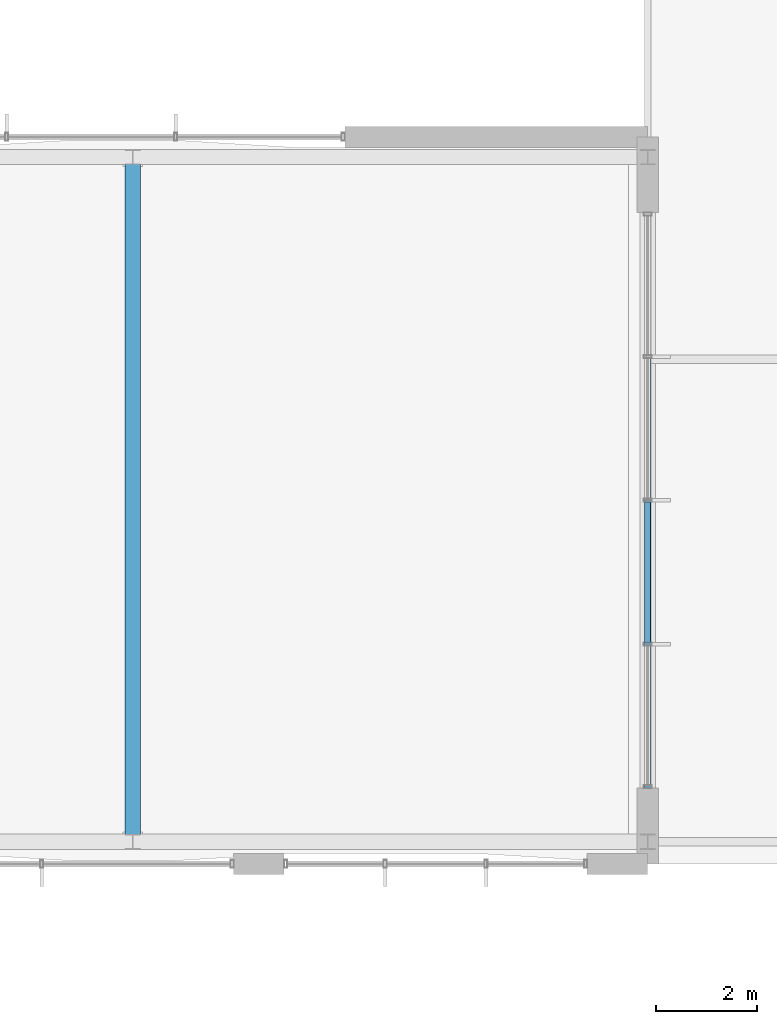
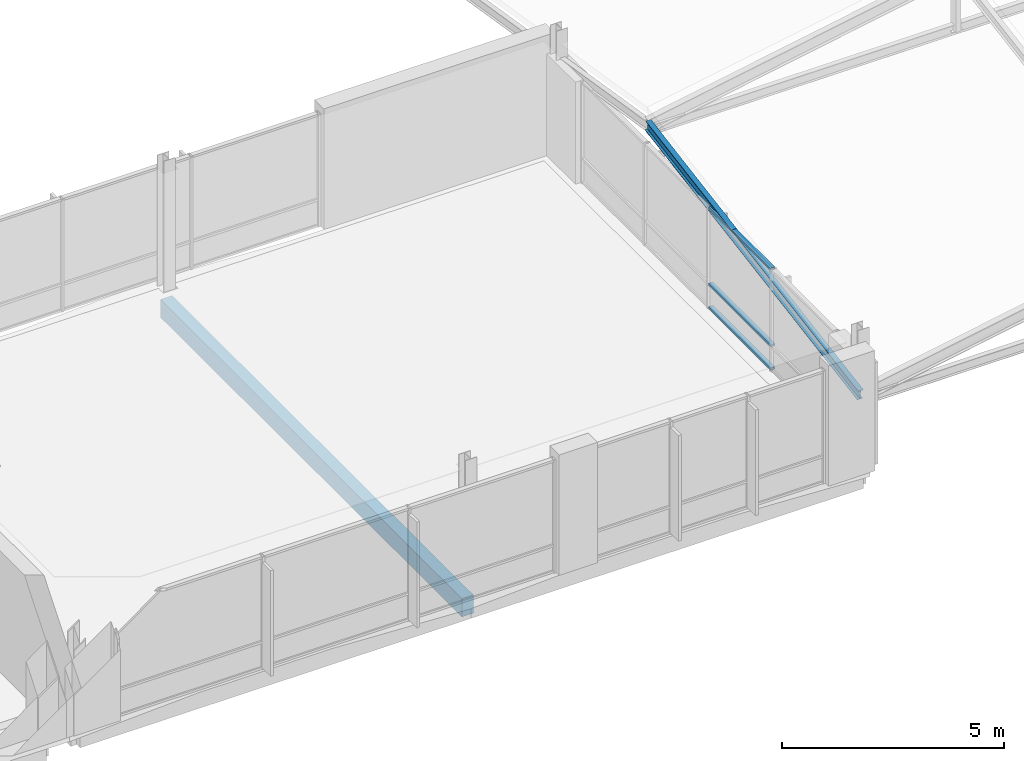
# One storey, part 38 of 189: 4 members, 1 beam, 1 element without a shape of its own.
"""IFC4 building model written with IfcOpenShell, lengths in metres."""

from ifc_helpers import new_model, si_unit, direction, frame, origin, origin_2d, place, context, subcontext, project, spatial, rectangle, hollow_rectangle, i_section, extrude, material, material_profile, profile_set, type_object, element, aggregate, save


model = new_model("IFC4")

# Units and contexts
model_context = context("Model", 3, precision=1e-05, world=origin(), true_north=direction((0.0, 1.0)))
body_context = subcontext(model_context, "Body", "Model", "MODEL_VIEW")
ifc_project = project(units=[si_unit("LENGTHUNIT", "METRE"), si_unit("AREAUNIT", "SQUARE_METRE"), si_unit("VOLUMEUNIT", "CUBIC_METRE"), si_unit("PLANEANGLEUNIT", "RADIAN"), si_unit("MASSUNIT", "GRAM", prefix="KILO")], contexts=[model_context])

# Site, building, storey
site_placement = place(None, origin())
site = spatial("IfcSite", under=ifc_project, at=site_placement, CompositionType="ELEMENT")
building_placement = place(site_placement, origin())
building = spatial("IfcBuilding", under=site, at=building_placement, Name="Zavelmont Quarter", CompositionType="ELEMENT")
storey_placement = place(building_placement, frame((0.0, 0.0, 4.39990234375)))
storey = spatial("IfcBuildingStorey", under=building, at=storey_placement, Name="L01", CompositionType="ELEMENT", Elevation=4.39990234375)

# Beam
ifc_material_1 = material(Name="Concrete C35/45", Category="concrete")
ifc_material_profile_1 = material_profile(ifc_material_1, rectangle(XDim=0.300048828125, YDim=0.5, at=origin_2d()), Name="RC300X500")
ifc_profile_set_1 = profile_set([ifc_material_profile_1], Name="Concrete C35/45")
beam_type = type_object("IfcBeamType", Name="BM03", PredefinedType="BEAM", material=ifc_profile_set_1)
beam_placement = place(storey_placement, frame((65.800048828125, 0.43994140625, -0.52978515625), z_axis=(0.0, 1.0, 0.0), x_axis=(-1.0, 0.0, 0.0)))
element("IfcBeam", 1, at=beam_placement, inside=storey, type_object=beam_type, Name="L01 beam BM03 10/A to 10/C", PredefinedType="BEAM", context=body_context, shape_type="SweptSolid", body=[
    extrude(rectangle(XDim=0.300048828125, YDim=0.5, at=origin_2d()), origin(), (0.0, 0.0, 1.0), 13.56005859375),
])

# Curtain wall, members
ifc_material_2 = material(Name="Thermally broken aluminium and double low-E safety glazing", Category="aluminium")
curtain_wall_type = type_object("IfcCurtainWallType", Name="CW-1140X280", PredefinedType="NOTDEFINED", material=ifc_material_2)
curtain_wall_placement = place(storey_placement, origin())
curtain_wall = element("IfcCurtainWall", 2, at=curtain_wall_placement, inside=storey, type_object=curtain_wall_type, Name="L01 unitised curtain wall CW-1140X280", PredefinedType="NOTDEFINED")
ifc_material_3 = material(Name="Powder-coated aluminium EN AW-6063-T6", Category="aluminium")
ifc_material_profile_2 = material_profile(ifc_material_3, hollow_rectangle(XDim=0.1201171875, YDim=0.06005859375, WallThickness=0.00390625, at=origin_2d()), Name="CWT60X120")
ifc_profile_set_2 = profile_set([ifc_material_profile_2], Name="Powder-coated aluminium EN AW-6063-T6")
member_type_1 = type_object("IfcMemberType", Name="CWT01", PredefinedType="NOTDEFINED", material=ifc_profile_set_2)
member_1_placement = place(storey_placement, frame((76.0, 4.3798828125, 0.030029296875), z_axis=(0.0, 1.0, 0.0), x_axis=(-1.0, 0.0, 0.0)))
member_1 = element("IfcMember", 3, at=member_1_placement, type_object=member_type_1, Name="CW-1140X280 transom 2.1", ObjectType="TRANSOM", PredefinedType="USERDEFINED", context=body_context, shape_type="SweptSolid", body=[
    extrude(hollow_rectangle(XDim=0.1201171875, YDim=0.06005859375, WallThickness=0.00390625, at=origin_2d()), origin(), (0.0, 0.0, 1.0), 2.7900390625),
])
member_2_placement = place(storey_placement, frame((76.0, 4.3798828125, 0.672119140625), z_axis=(0.0, 1.0, 0.0), x_axis=(-1.0, 0.0, 0.0)))
member_2 = element("IfcMember", 4, at=member_2_placement, type_object=member_type_1, Name="CW-1140X280 transom 2.2", ObjectType="TRANSOM", PredefinedType="USERDEFINED", context=body_context, shape_type="SweptSolid", body=[
    extrude(hollow_rectangle(XDim=0.1201171875, YDim=0.06005859375, WallThickness=0.00390625, at=origin_2d()), origin(), (0.0, 0.0, 1.0), 2.7900390625),
])
member_3_placement = place(storey_placement, frame((76.0, 4.3798828125, 2.77001953125), z_axis=(0.0, 1.0, 0.0), x_axis=(-1.0, 0.0, 0.0)))
member_3 = element("IfcMember", 5, at=member_3_placement, type_object=member_type_1, Name="CW-1140X280 transom 2.3", ObjectType="TRANSOM", PredefinedType="USERDEFINED", context=body_context, shape_type="SweptSolid", body=[
    extrude(hollow_rectangle(XDim=0.1201171875, YDim=0.06005859375, WallThickness=0.00390625, at=origin_2d()), origin(), (0.0, 0.0, 1.0), 2.7900390625),
])
aggregate(curtain_wall, [member_1, member_2, member_3])

# Member
ifc_material_4 = material(Name="Steel S355", Category="steel")
ifc_material_profile_3 = material_profile(ifc_material_4, i_section(OverallWidth=0.135009765625, OverallDepth=0.27001953125, WebThickness=0.006591796875, FlangeThickness=0.01025390625, at=origin_2d()), Name="IPE 270")
ifc_profile_set_3 = profile_set([ifc_material_profile_3], Name="Steel S355")
member_type_2 = type_object("IfcMemberType", Name="PR01", PredefinedType="PURLIN", material=ifc_profile_set_3)
member_4_placement = place(storey_placement, frame((76.0, 0.43994140625, 1.7001953125), z_axis=(0.0, 0.985946642344, 0.167060523315), x_axis=(-1.0, 0.0, 0.0)))
element("IfcMember", 6, at=member_4_placement, inside=storey, type_object=member_type_2, Name="L01 member PR01 12/A to 12/C", PredefinedType="PURLIN", context=body_context, shape_type="SweptSolid", body=[
    extrude(i_section(OverallWidth=0.135009765625, OverallDepth=0.27001953125, WebThickness=0.006591796875, FlangeThickness=0.01025390625, at=origin_2d()), origin(), (0.0, 0.0, 1.0), 9.6962890625),
])

save(model, "model.ifc")
